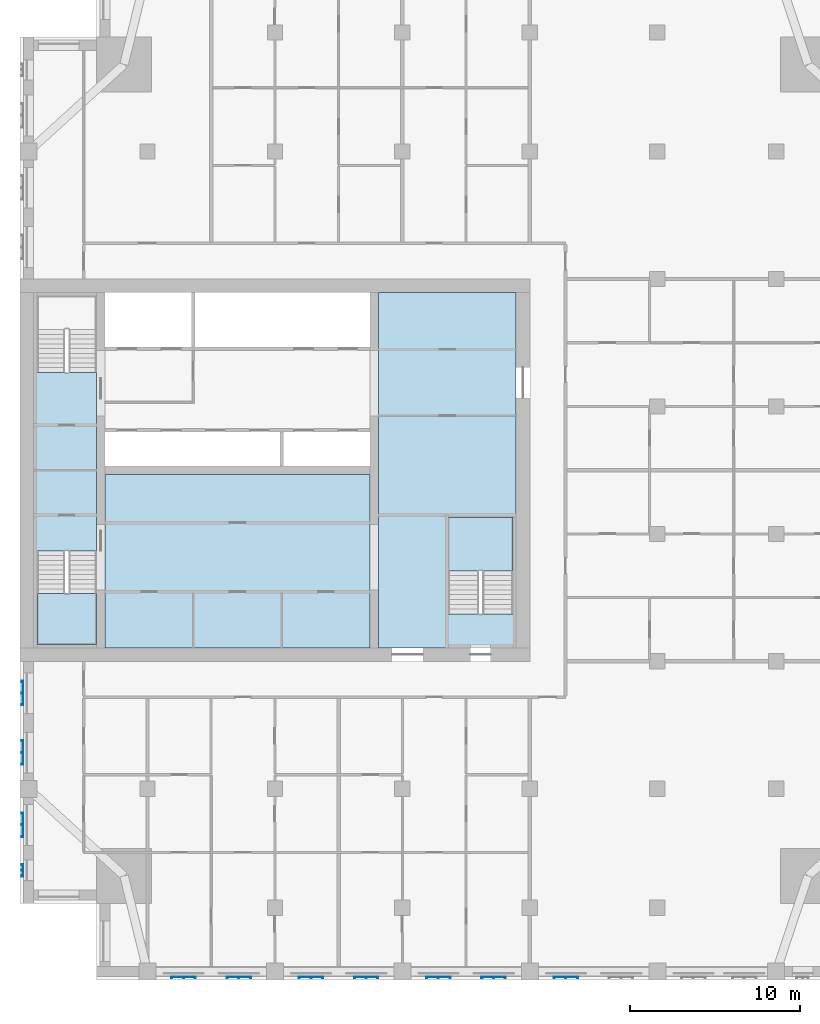
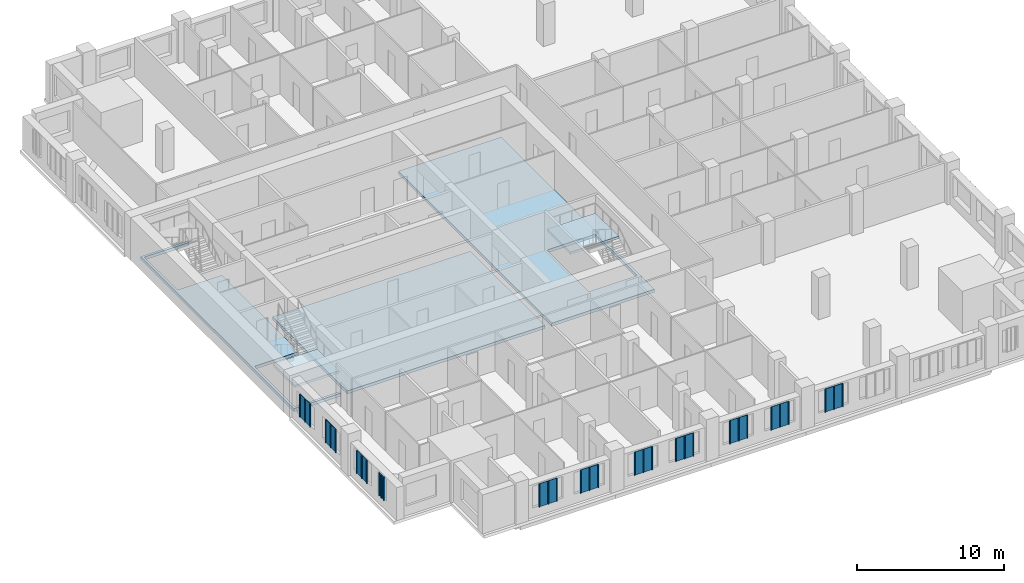
# One storey, part 2 of 14: 11 plates, 5 slabs, 2 elements without a shape of their own.
"""IFC4 building model written with IfcOpenShell, lengths in metres."""

from ifc_helpers import new_model, si_unit, direction, frame, origin, place, context, subcontext, project, spatial, polyline, outline, extrude, material, layer, layer_set, type_object, element, aggregate, save


model = new_model("IFC4")

# Units and contexts
model_context = context("Model", 3, precision=1e-05, world=origin(), true_north=direction((0.0, 1.0)))
body_context = subcontext(model_context, "Body", "Model", "MODEL_VIEW")
ifc_project = project(units=[si_unit("LENGTHUNIT", "METRE"), si_unit("AREAUNIT", "SQUARE_METRE"), si_unit("VOLUMEUNIT", "CUBIC_METRE"), si_unit("PLANEANGLEUNIT", "RADIAN"), si_unit("MASSUNIT", "GRAM", prefix="KILO")], contexts=[model_context])

# Site, building, storey
site_placement = place(None, origin())
site = spatial("IfcSite", under=ifc_project, at=site_placement, CompositionType="ELEMENT")
building_placement = place(site_placement, origin())
building = spatial("IfcBuilding", under=site, at=building_placement, Name="Tamorin Gate", CompositionType="ELEMENT")
storey_placement = place(building_placement, frame((0.0, 0.0, 193.199951171875)))
storey = spatial("IfcBuildingStorey", under=building, at=storey_placement, Name="L47", CompositionType="ELEMENT", Elevation=193.199951171875)

# Slabs
ifc_material_1 = material(Name="Concrete C40/50", Category="concrete")
ifc_layer_1 = layer(ifc_material_1, 0.25)
ifc_layer_set_1 = layer_set([ifc_layer_1], Name="Core floor slab 250 C40/50")
slab_type_1 = type_object("IfcSlabType", Name="Core floor slab 250 C40/50", PredefinedType="FLOOR", material=ifc_layer_set_1)
slab_1_placement = place(storey_placement, frame((0.0, 0.0, -0.25)))
element("IfcSlab", 1, at=slab_1_placement, inside=storey, type_object=slab_type_1, Name="Core floor L47", PredefinedType="FLOOR", context=body_context, shape_type="SweptSolid", body=[
    extrude(outline(polyline([(51.10009765625, 81.699951171875), (59.199951171875, 81.699951171875), (59.199951171875, 60.800048828125), (51.10009765625, 60.800048828125), (51.10009765625, 81.699951171875)]), holes=[polyline([(55.199951171875, 62.800048828125), (59.0, 62.800048828125), (59.0, 68.5), (55.199951171875, 68.5), (55.199951171875, 62.800048828125)])]), origin(), (0.0, 0.0, 1.0), 0.25),
])
slab_2_placement = place(storey_placement, frame((0.0, 0.0, -0.25)))
element("IfcSlab", 2, at=slab_2_placement, inside=storey, type_object=slab_type_1, Name="Core floor L47", PredefinedType="FLOOR", context=body_context, shape_type="SweptSolid", body=[
    extrude(outline(polyline([(50.60009765625, 71.0), (50.60009765625, 60.800048828125), (35.0, 60.800048828125), (35.0, 71.0), (50.60009765625, 71.0)])), origin(), (0.0, 0.0, 1.0), 0.25),
])
slab_3_placement = place(storey_placement, frame((0.0, 0.0, -0.25)))
element("IfcSlab", 3, at=slab_3_placement, inside=storey, type_object=slab_type_1, Name="Core floor L47", PredefinedType="FLOOR", context=body_context, shape_type="SweptSolid", body=[
    extrude(outline(polyline([(34.5, 60.800048828125), (30.800048828125, 60.800048828125), (30.800048828125, 81.699951171875), (34.5, 81.699951171875), (34.5, 81.5), (31.0, 81.5), (31.0, 77.0), (34.5, 77.0), (34.5, 66.5), (31.0, 66.5), (31.0, 61.0), (34.5, 61.0), (34.5, 60.800048828125)])), origin(), (0.0, 0.0, 1.0), 0.25),
])

# Stair, slab
stair_type = type_object("IfcStairType", Name="Exit stair", PredefinedType="HALF_TURN_STAIR", material=ifc_material_1)
stair_1_placement = place(storey_placement, origin())
stair_1 = element("IfcStair", 4, at=stair_1_placement, inside=storey, type_object=stair_type, Name="L47 stair ST1", PredefinedType="HALF_TURN_STAIR")
ifc_layer_2 = layer(ifc_material_1, 0.199951171875)
ifc_layer_set_2 = layer_set([ifc_layer_2], Name="Exit stair landing 200")
slab_type_2 = type_object("IfcSlabType", Name="Exit stair landing 200", PredefinedType="LANDING", material=ifc_layer_set_2)
slab_4_placement = place(storey_placement, frame((0.0, 0.0, 1.550048828125)))
slab_4 = element("IfcSlab", 5, at=slab_4_placement, type_object=slab_type_2, Name="ST1 landing 1", PredefinedType="LANDING", context=body_context, shape_type="SweptSolid", body=[
    extrude(outline(polyline([(31.0, 63.97998046875), (31.0, 61.0), (34.5, 61.0), (34.5, 63.97998046875), (31.0, 63.97998046875)])), origin(), (0.0, 0.0, 1.0), 0.199951171875),
])
aggregate(stair_1, [slab_4])

stair_2_placement = place(storey_placement, origin())
stair_2 = element("IfcStair", 6, at=stair_2_placement, inside=storey, type_object=stair_type, Name="L47 stair ST3", PredefinedType="HALF_TURN_STAIR")
slab_5_placement = place(storey_placement, frame((0.0, 0.0, 1.550048828125)))
slab_5 = element("IfcSlab", 7, at=slab_5_placement, type_object=slab_type_2, Name="ST3 landing 1", PredefinedType="LANDING", context=body_context, shape_type="SweptSolid", body=[
    extrude(outline(polyline([(59.0, 65.320068359375), (59.0, 68.5), (55.199951171875, 68.5), (55.199951171875, 65.320068359375), (59.0, 65.320068359375)])), origin(), (0.0, 0.0, 1.0), 0.199951171875),
])
aggregate(stair_2, [slab_5])

# Plates
ifc_material_2 = material(Name="Perforated pale aluminium sheet", Category="aluminium")
ifc_layer_3 = layer(ifc_material_2, 0.0400390625)
ifc_layer_set_3 = layer_set([ifc_layer_3], Name="Pale metal solar screen 1440")
plate_type_1 = type_object("IfcPlateType", Name="Pale metal solar screen 1440", PredefinedType="SHEET", material=ifc_layer_set_3)
plate_1_placement = place(storey_placement, frame((0.0, 0.0, 0.737548828125)))
element("IfcPlate", 8, at=plate_1_placement, inside=storey, type_object=plate_type_1, Name="Perforated solar screen", PredefinedType="SHEET", context=body_context, shape_type="SweptSolid", body=[
    extrude(outline(polyline([(38.905029296875, 41.409912109375), (38.905029296875, 41.449951171875), (38.965087890625, 41.449951171875), (39.594970703125, 41.449951171875), (39.655029296875, 41.449951171875), (40.284912109375, 41.449951171875), (40.344970703125, 41.449951171875), (40.344970703125, 41.449951171875), (40.344970703125, 41.409912109375), (40.344970703125, 41.409912109375), (40.344970703125, 41.35009765625), (40.284912109375, 41.35009765625), (40.284912109375, 41.409912109375), (39.655029296875, 41.409912109375), (39.655029296875, 41.35009765625), (39.594970703125, 41.35009765625), (39.594970703125, 41.409912109375), (38.965087890625, 41.409912109375), (38.965087890625, 41.35009765625), (38.905029296875, 41.35009765625), (38.905029296875, 41.409912109375)])), origin(), (0.0, 0.0, 1.0), 1.925048828125),
])
plate_2_placement = place(storey_placement, frame((0.0, 0.0, 0.737548828125)))
element("IfcPlate", 9, at=plate_2_placement, inside=storey, type_object=plate_type_1, Name="Perforated solar screen", PredefinedType="SHEET", context=body_context, shape_type="SweptSolid", body=[
    extrude(outline(polyline([(42.155029296875, 41.409912109375), (42.155029296875, 41.449951171875), (42.215087890625, 41.449951171875), (42.844970703125, 41.449951171875), (42.905029296875, 41.449951171875), (43.534912109375, 41.449951171875), (43.594970703125, 41.449951171875), (43.594970703125, 41.409912109375), (43.594970703125, 41.35009765625), (43.534912109375, 41.35009765625), (43.534912109375, 41.409912109375), (42.905029296875, 41.409912109375), (42.905029296875, 41.35009765625), (42.844970703125, 41.35009765625), (42.844970703125, 41.409912109375), (42.215087890625, 41.409912109375), (42.215087890625, 41.35009765625), (42.155029296875, 41.35009765625), (42.155029296875, 41.409912109375)])), origin(), (0.0, 0.0, 1.0), 1.925048828125),
])
plate_3_placement = place(storey_placement, frame((0.0, 0.0, 0.737548828125)))
element("IfcPlate", 10, at=plate_3_placement, inside=storey, type_object=plate_type_1, Name="Perforated solar screen", PredefinedType="SHEET", context=body_context, shape_type="SweptSolid", body=[
    extrude(outline(polyline([(46.405029296875, 41.409912109375), (46.405029296875, 41.449951171875), (46.465087890625, 41.449951171875), (47.094970703125, 41.449951171875), (47.155029296875, 41.449951171875), (47.784912109375, 41.449951171875), (47.844970703125, 41.449951171875), (47.844970703125, 41.409912109375), (47.844970703125, 41.35009765625), (47.784912109375, 41.35009765625), (47.784912109375, 41.409912109375), (47.155029296875, 41.409912109375), (47.155029296875, 41.35009765625), (47.094970703125, 41.35009765625), (47.094970703125, 41.409912109375), (46.465087890625, 41.409912109375), (46.465087890625, 41.35009765625), (46.405029296875, 41.35009765625), (46.405029296875, 41.409912109375)])), origin(), (0.0, 0.0, 1.0), 1.925048828125),
])
plate_4_placement = place(storey_placement, frame((0.0, 0.0, 0.737548828125)))
element("IfcPlate", 11, at=plate_4_placement, inside=storey, type_object=plate_type_1, Name="Perforated solar screen", PredefinedType="SHEET", context=body_context, shape_type="SweptSolid", body=[
    extrude(outline(polyline([(49.655029296875, 41.409912109375), (49.655029296875, 41.449951171875), (49.715087890625, 41.449951171875), (50.344970703125, 41.449951171875), (50.405029296875, 41.449951171875), (51.034912109375, 41.449951171875), (51.094970703125, 41.449951171875), (51.094970703125, 41.409912109375), (51.094970703125, 41.35009765625), (51.034912109375, 41.35009765625), (51.034912109375, 41.409912109375), (50.405029296875, 41.409912109375), (50.405029296875, 41.35009765625), (50.344970703125, 41.35009765625), (50.344970703125, 41.409912109375), (49.715087890625, 41.409912109375), (49.715087890625, 41.35009765625), (49.655029296875, 41.35009765625), (49.655029296875, 41.409912109375)])), origin(), (0.0, 0.0, 1.0), 1.925048828125),
])
plate_5_placement = place(storey_placement, frame((0.0, 0.0, 0.737548828125)))
element("IfcPlate", 12, at=plate_5_placement, inside=storey, type_object=plate_type_1, Name="Perforated solar screen", PredefinedType="SHEET", context=body_context, shape_type="SweptSolid", body=[
    extrude(outline(polyline([(53.905029296875, 41.409912109375), (53.905029296875, 41.449951171875), (53.965087890625, 41.449951171875), (54.594970703125, 41.449951171875), (54.655029296875, 41.449951171875), (55.284912109375, 41.449951171875), (55.344970703125, 41.449951171875), (55.344970703125, 41.409912109375), (55.344970703125, 41.35009765625), (55.284912109375, 41.35009765625), (55.284912109375, 41.409912109375), (54.655029296875, 41.409912109375), (54.655029296875, 41.35009765625), (54.594970703125, 41.35009765625), (54.594970703125, 41.409912109375), (53.965087890625, 41.409912109375), (53.965087890625, 41.35009765625), (53.905029296875, 41.35009765625), (53.905029296875, 41.409912109375)])), origin(), (0.0, 0.0, 1.0), 1.925048828125),
])
plate_6_placement = place(storey_placement, frame((0.0, 0.0, 0.737548828125)))
element("IfcPlate", 13, at=plate_6_placement, inside=storey, type_object=plate_type_1, Name="Perforated solar screen", PredefinedType="SHEET", context=body_context, shape_type="SweptSolid", body=[
    extrude(outline(polyline([(57.155029296875, 41.409912109375), (57.155029296875, 41.449951171875), (57.215087890625, 41.449951171875), (57.844970703125, 41.449951171875), (57.905029296875, 41.449951171875), (58.534912109375, 41.449951171875), (58.594970703125, 41.449951171875), (58.594970703125, 41.409912109375), (58.594970703125, 41.35009765625), (58.534912109375, 41.35009765625), (58.534912109375, 41.409912109375), (57.905029296875, 41.409912109375), (57.905029296875, 41.35009765625), (57.844970703125, 41.35009765625), (57.844970703125, 41.409912109375), (57.215087890625, 41.409912109375), (57.215087890625, 41.35009765625), (57.155029296875, 41.35009765625), (57.155029296875, 41.409912109375)])), origin(), (0.0, 0.0, 1.0), 1.925048828125),
])
plate_7_placement = place(storey_placement, frame((0.0, 0.0, 0.737548828125)))
element("IfcPlate", 14, at=plate_7_placement, inside=storey, type_object=plate_type_1, Name="Perforated solar screen", PredefinedType="SHEET", context=body_context, shape_type="SweptSolid", body=[
    extrude(outline(polyline([(61.405029296875, 41.409912109375), (61.405029296875, 41.449951171875), (61.465087890625, 41.449951171875), (62.094970703125, 41.449951171875), (62.155029296875, 41.449951171875), (62.784912109375, 41.449951171875), (62.844970703125, 41.449951171875), (62.844970703125, 41.409912109375), (62.844970703125, 41.35009765625), (62.784912109375, 41.35009765625), (62.784912109375, 41.409912109375), (62.155029296875, 41.409912109375), (62.155029296875, 41.35009765625), (62.094970703125, 41.35009765625), (62.094970703125, 41.409912109375), (61.465087890625, 41.409912109375), (61.465087890625, 41.35009765625), (61.405029296875, 41.35009765625), (61.405029296875, 41.409912109375)])), origin(), (0.0, 0.0, 1.0), 1.925048828125),
])
plate_8_placement = place(storey_placement, frame((0.0, 0.0, 0.737548828125)))
element("IfcPlate", 15, at=plate_8_placement, inside=storey, type_object=plate_type_1, Name="Perforated solar screen", PredefinedType="SHEET", context=body_context, shape_type="SweptSolid", body=[
    extrude(outline(polyline([(30.159912109375, 55.344970703125), (30.199951171875, 55.344970703125), (30.199951171875, 55.284912109375), (30.199951171875, 54.655029296875), (30.199951171875, 54.594970703125), (30.199951171875, 53.965087890625), (30.199951171875, 53.905029296875), (30.159912109375, 53.905029296875), (30.10009765625, 53.905029296875), (30.10009765625, 53.965087890625), (30.159912109375, 53.965087890625), (30.159912109375, 54.594970703125), (30.10009765625, 54.594970703125), (30.10009765625, 54.655029296875), (30.159912109375, 54.655029296875), (30.159912109375, 55.284912109375), (30.10009765625, 55.284912109375), (30.10009765625, 55.344970703125), (30.159912109375, 55.344970703125)])), origin(), (0.0, 0.0, 1.0), 1.925048828125),
])
plate_9_placement = place(storey_placement, frame((0.0, 0.0, 0.737548828125)))
element("IfcPlate", 16, at=plate_9_placement, inside=storey, type_object=plate_type_1, Name="Perforated solar screen", PredefinedType="SHEET", context=body_context, shape_type="SweptSolid", body=[
    extrude(outline(polyline([(30.159912109375, 58.844970703125), (30.199951171875, 58.844970703125), (30.199951171875, 58.784912109375), (30.199951171875, 58.155029296875), (30.199951171875, 58.094970703125), (30.199951171875, 57.465087890625), (30.199951171875, 57.405029296875), (30.159912109375, 57.405029296875), (30.10009765625, 57.405029296875), (30.10009765625, 57.465087890625), (30.159912109375, 57.465087890625), (30.159912109375, 58.094970703125), (30.10009765625, 58.094970703125), (30.10009765625, 58.155029296875), (30.159912109375, 58.155029296875), (30.159912109375, 58.784912109375), (30.10009765625, 58.784912109375), (30.10009765625, 58.844970703125), (30.159912109375, 58.844970703125)])), origin(), (0.0, 0.0, 1.0), 1.925048828125),
])
plate_10_placement = place(storey_placement, frame((0.0, 0.0, 0.737548828125)))
element("IfcPlate", 17, at=plate_10_placement, inside=storey, type_object=plate_type_1, Name="Perforated solar screen", PredefinedType="SHEET", context=body_context, shape_type="SweptSolid", body=[
    extrude(outline(polyline([(30.159912109375, 51.094970703125), (30.199951171875, 51.094970703125), (30.199951171875, 51.034912109375), (30.199951171875, 50.405029296875), (30.199951171875, 50.344970703125), (30.199951171875, 49.715087890625), (30.199951171875, 49.655029296875), (30.159912109375, 49.655029296875), (30.10009765625, 49.655029296875), (30.10009765625, 49.715087890625), (30.159912109375, 49.715087890625), (30.159912109375, 50.344970703125), (30.10009765625, 50.344970703125), (30.10009765625, 50.405029296875), (30.159912109375, 50.405029296875), (30.159912109375, 51.034912109375), (30.10009765625, 51.034912109375), (30.10009765625, 51.094970703125), (30.159912109375, 51.094970703125)])), origin(), (0.0, 0.0, 1.0), 1.925048828125),
])
ifc_layer_4 = layer(ifc_material_2, 0.0400390625)
ifc_layer_set_4 = layer_set([ifc_layer_4], Name="Pale metal solar screen 720")
plate_type_2 = type_object("IfcPlateType", Name="Pale metal solar screen 720", PredefinedType="SHEET", material=ifc_layer_set_4)
plate_11_placement = place(storey_placement, frame((0.0, 0.0, 0.737548828125)))
element("IfcPlate", 18, at=plate_11_placement, inside=storey, type_object=plate_type_2, Name="Perforated solar screen", PredefinedType="SHEET", context=body_context, shape_type="SweptSolid", body=[
    extrude(outline(polyline([(30.159912109375, 48.06005859375), (30.199951171875, 48.06005859375), (30.199951171875, 48.0), (30.199951171875, 47.72998046875), (30.199951171875, 47.669921875), (30.199951171875, 47.39990234375), (30.199951171875, 47.340087890625), (30.159912109375, 47.340087890625), (30.10009765625, 47.340087890625), (30.10009765625, 47.39990234375), (30.159912109375, 47.39990234375), (30.159912109375, 47.669921875), (30.10009765625, 47.669921875), (30.10009765625, 47.72998046875), (30.159912109375, 47.72998046875), (30.159912109375, 48.0), (30.10009765625, 48.0), (30.10009765625, 48.06005859375), (30.159912109375, 48.06005859375)])), origin(), (0.0, 0.0, 1.0), 1.925048828125),
])

save(model, "model.ifc")
